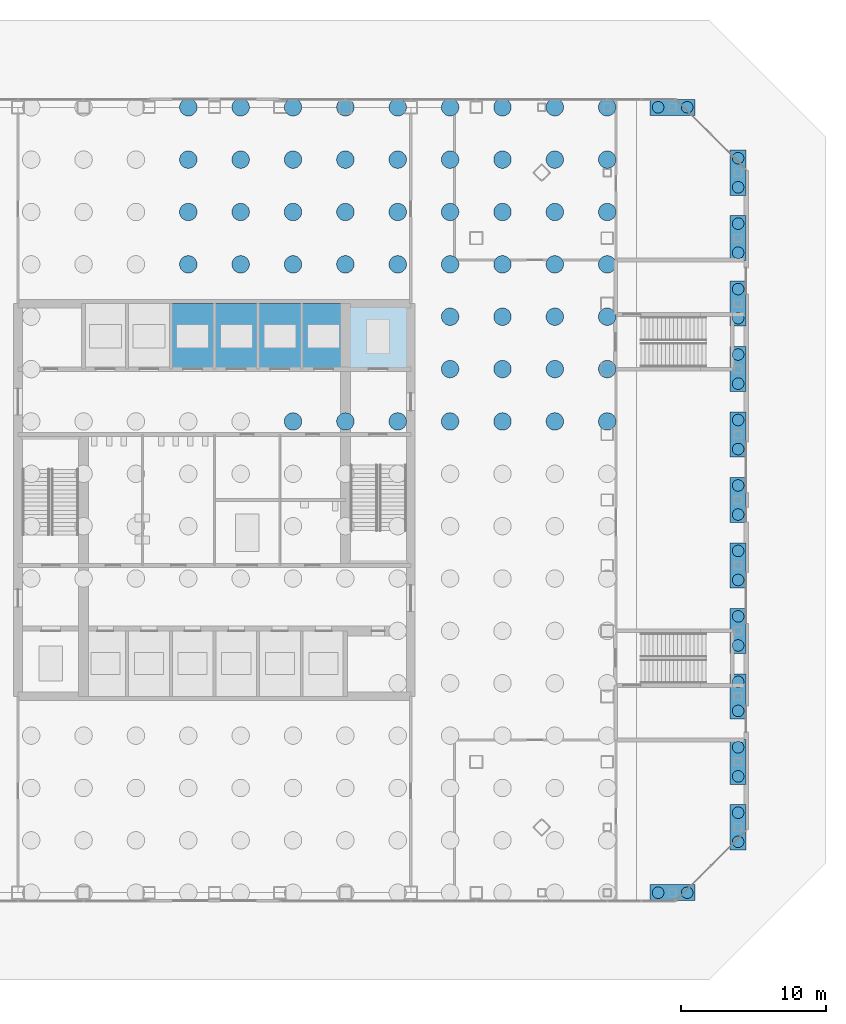
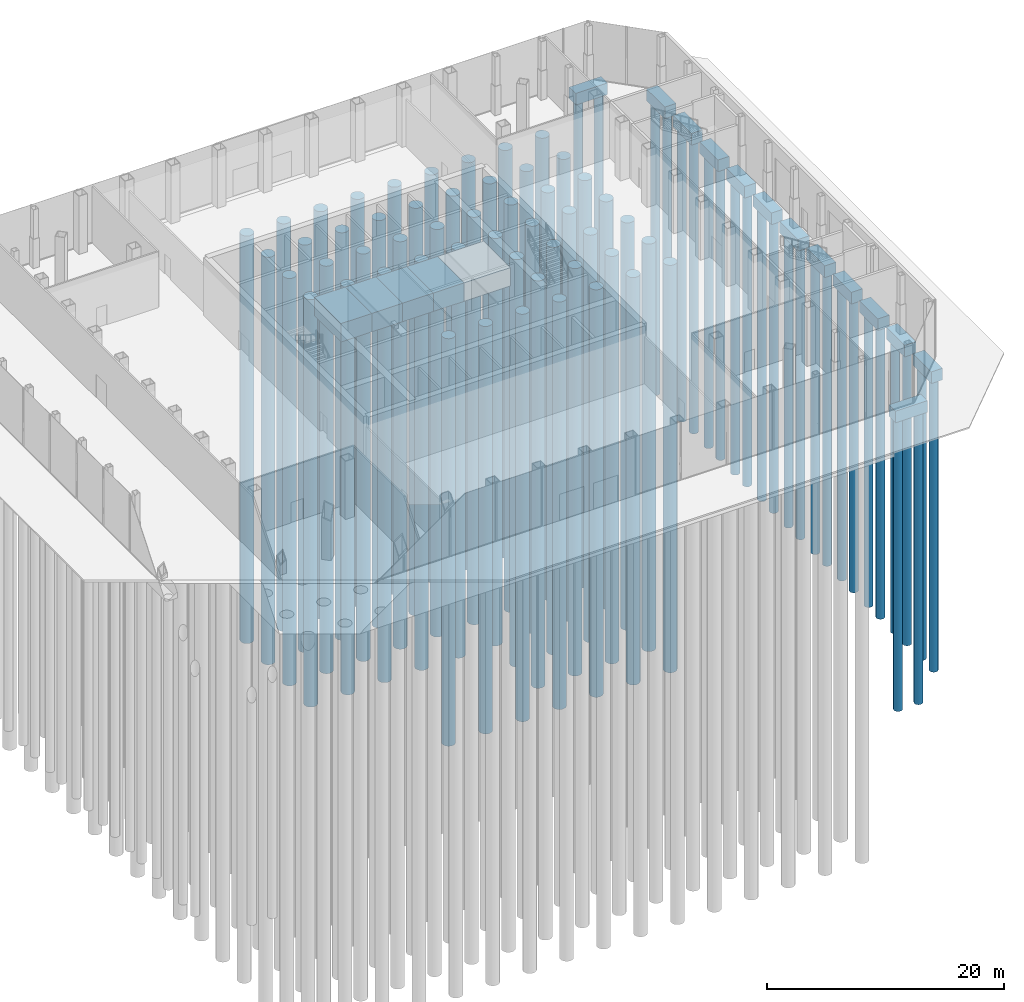
# One storey, part 2 of 24: 77 piles, 18 footings.
"""IFC4 building model written with IfcOpenShell, lengths in metres."""

from ifc_helpers import new_model, si_unit, direction, frame, origin, origin_2d, place, context, subcontext, project, spatial, polyline, circle, outline, extrude, material, type_object, element, save


model = new_model("IFC4")

# Units and contexts
model_context = context("Model", 3, precision=1e-05, world=origin(), true_north=direction((0.0, 1.0)))
body_context = subcontext(model_context, "Body", "Model", "MODEL_VIEW")
ifc_project = project(units=[si_unit("LENGTHUNIT", "METRE"), si_unit("AREAUNIT", "SQUARE_METRE"), si_unit("VOLUMEUNIT", "CUBIC_METRE"), si_unit("PLANEANGLEUNIT", "RADIAN"), si_unit("MASSUNIT", "GRAM", prefix="KILO")], contexts=[model_context])

# Site, building, storey
site_placement = place(None, origin())
site = spatial("IfcSite", under=ifc_project, at=site_placement, CompositionType="ELEMENT")
building_placement = place(site_placement, origin())
building = spatial("IfcBuilding", under=site, at=building_placement, Name="Corais Broadcast Tower", CompositionType="ELEMENT")
storey_placement = place(building_placement, origin())
storey = spatial("IfcBuildingStorey", under=building, at=storey_placement, Name="L00", CompositionType="ELEMENT", Elevation=0.0)

# Piles
ifc_material_1 = material(Name="Concrete C40/50", Category="concrete")
pile_type_1 = type_object("IfcPileType", Name="Bored pile 1200", PredefinedType="BORED", material=ifc_material_1)
for number, where, z_axis, x_axis, name in (
    (1, (25.199951171875, 43.199951171875, -3.75), (0.0, 0.0, -1.0), (1.0, 0.0, 0.0), "P1 pile 8-13"),
    (2, (25.199951171875, 46.800048828125, -3.75), (0.0, 0.0, -1.0), (1.0, 0.0, 0.0), "P1 pile 8-14"),
    (3, (25.199951171875, 50.39990234375, -3.75), (0.0, 0.0, -1.0), (1.0, 0.0, 0.0), "P1 pile 8-15"),
    (4, (25.199951171875, 54.0, -3.75), (0.0, 0.0, -1.0), (1.0, 0.0, 0.0), "P1 pile 8-16"),
    (5, (28.800048828125, 43.199951171875, -3.75), (0.0, 0.0, -1.0), (1.0, 0.0, 0.0), "P1 pile 9-13"),
    (6, (28.800048828125, 46.800048828125, -3.75), (0.0, 0.0, -1.0), (1.0, 0.0, 0.0), "P1 pile 9-14"),
    (7, (28.800048828125, 50.39990234375, -3.75), (0.0, 0.0, -1.0), (1.0, 0.0, 0.0), "P1 pile 9-15"),
    (8, (28.800048828125, 54.0, -3.75), (0.0, 0.0, -1.0), (1.0, 0.0, 0.0), "P1 pile 9-16"),
    (9, (32.39990234375, 32.39990234375, -3.75), (0.0, 0.0, -1.0), (1.0, 0.0, 0.0), "P1 pile 10-10"),
    (10, (32.39990234375, 43.199951171875, -3.75), (0.0, 0.0, -1.0), (1.0, 0.0, 0.0), "P1 pile 10-13"),
    (11, (32.39990234375, 46.800048828125, -3.75), (0.0, 0.0, -1.0), (1.0, 0.0, 0.0), "P1 pile 10-14"),
    (12, (32.39990234375, 50.39990234375, -3.75), (0.0, 0.0, -1.0), (1.0, 0.0, 0.0), "P1 pile 10-15"),
    (13, (32.39990234375, 54.0, -3.75), (0.0, 0.0, -1.0), (1.0, 0.0, 0.0), "P1 pile 10-16"),
    (14, (36.0, 32.39990234375, -3.75), (0.0, 0.0, -1.0), (1.0, 0.0, 0.0), "P1 pile 11-10"),
    (15, (36.0, 43.199951171875, -3.75), (0.0, 0.0, -1.0), (1.0, 0.0, 0.0), "P1 pile 11-13"),
    (16, (36.0, 46.800048828125, -3.75), (0.0, 0.0, -1.0), (1.0, 0.0, 0.0), "P1 pile 11-14"),
    (17, (36.0, 50.39990234375, -3.75), (0.0, 0.0, -1.0), (1.0, 0.0, 0.0), "P1 pile 11-15"),
    (18, (36.0, 54.0, -3.75), (0.0, 0.0, -1.0), (1.0, 0.0, 0.0), "P1 pile 11-16"),
    (19, (39.60009765625, 32.39990234375, -3.75), (0.0, 0.0, -1.0), (1.0, 0.0, 0.0), "P1 pile 12-10"),
    (20, (39.60009765625, 43.199951171875, -3.75), (0.0, 0.0, -1.0), (1.0, 0.0, 0.0), "P1 pile 12-13"),
    (21, (39.60009765625, 46.800048828125, -3.75), (0.0, 0.0, -1.0), (1.0, 0.0, 0.0), "P1 pile 12-14"),
    (22, (39.60009765625, 50.39990234375, -3.75), (0.0, 0.0, -1.0), (1.0, 0.0, 0.0), "P1 pile 12-15"),
    (23, (39.60009765625, 54.0, -3.75), (0.0, 0.0, -1.0), (1.0, 0.0, 0.0), "P1 pile 12-16"),
    (24, (43.199951171875, 32.39990234375, -3.75), (0.0, 0.0, -1.0), (1.0, 0.0, 0.0), "P1 pile 13-10"),
    (25, (43.199951171875, 36.0, -3.75), (0.0, 0.0, -1.0), (1.0, 0.0, 0.0), "P1 pile 13-11"),
    (26, (43.199951171875, 39.60009765625, -3.75), (0.0, 0.0, -1.0), (1.0, 0.0, 0.0), "P1 pile 13-12"),
    (27, (43.199951171875, 43.199951171875, -3.75), (0.0, 0.0, -1.0), (1.0, 0.0, 0.0), "P1 pile 13-13"),
    (28, (43.199951171875, 46.800048828125, -3.75), (0.0, 0.0, -1.0), (1.0, 0.0, 0.0), "P1 pile 13-14"),
    (29, (43.199951171875, 50.39990234375, -3.75), (0.0, 0.0, -1.0), (1.0, 0.0, 0.0), "P1 pile 13-15"),
    (30, (43.199951171875, 54.0, -3.75), (0.0, 0.0, -1.0), (1.0, 0.0, 0.0), "P1 pile 13-16"),
    (31, (46.800048828125, 32.39990234375, -3.75), (0.0, 0.0, -1.0), (1.0, 0.0, 0.0), "P1 pile 14-10"),
    (32, (46.800048828125, 36.0, -3.75), (0.0, 0.0, -1.0), (1.0, 0.0, 0.0), "P1 pile 14-11"),
    (33, (46.800048828125, 39.60009765625, -3.75), (0.0, 0.0, -1.0), (1.0, 0.0, 0.0), "P1 pile 14-12"),
    (34, (46.800048828125, 43.199951171875, -3.75), (0.0, 0.0, -1.0), (1.0, 0.0, 0.0), "P1 pile 14-13"),
    (35, (46.800048828125, 46.800048828125, -3.75), (0.0, 0.0, -1.0), (1.0, 0.0, 0.0), "P1 pile 14-14"),
    (36, (46.800048828125, 50.39990234375, -3.75), (0.0, 0.0, -1.0), (1.0, 0.0, 0.0), "P1 pile 14-15"),
    (37, (46.800048828125, 54.0, -3.75), (0.0, 0.0, -1.0), (1.0, 0.0, 0.0), "P1 pile 14-16"),
    (38, (50.39990234375, 32.39990234375, -3.75), (0.0, 0.0, -1.0), (1.0, 0.0, 0.0), "P1 pile 15-10"),
    (39, (50.39990234375, 36.0, -3.75), (0.0, 0.0, -1.0), (1.0, 0.0, 0.0), "P1 pile 15-11"),
    (40, (50.39990234375, 39.60009765625, -3.75), (0.0, 0.0, -1.0), (1.0, 0.0, 0.0), "P1 pile 15-12"),
    (41, (50.39990234375, 43.199951171875, -3.75), (0.0, 0.0, -1.0), (1.0, 0.0, 0.0), "P1 pile 15-13"),
    (42, (50.39990234375, 46.800048828125, -3.75), (0.0, 0.0, -1.0), (1.0, 0.0, 0.0), "P1 pile 15-14"),
    (43, (50.39990234375, 50.39990234375, -3.75), (0.0, 0.0, -1.0), (1.0, 0.0, 0.0), "P1 pile 15-15"),
    (44, (50.39990234375, 54.0, -3.75), (0.0, 0.0, -1.0), (1.0, 0.0, 0.0), "P1 pile 15-16"),
    (45, (54.0, 32.39990234375, -3.75), (0.0, 0.0, -1.0), (1.0, 0.0, 0.0), "P1 pile 16-10"),
    (46, (54.0, 36.0, -3.75), (0.0, 0.0, -1.0), (1.0, 0.0, 0.0), "P1 pile 16-11"),
    (47, (54.0, 39.60009765625, -3.75), (0.0, 0.0, -1.0), (1.0, 0.0, 0.0), "P1 pile 16-12"),
    (48, (54.0, 43.199951171875, -3.75), (0.0, 0.0, -1.0), (1.0, 0.0, 0.0), "P1 pile 16-13"),
    (49, (54.0, 46.800048828125, -3.75), (0.0, 0.0, -1.0), (1.0, 0.0, 0.0), "P1 pile 16-14"),
    (50, (54.0, 50.39990234375, -3.75), (0.0, 0.0, -1.0), (1.0, 0.0, 0.0), "P1 pile 16-15"),
    (51, (54.0, 54.0, -3.75), (0.0, 0.0, -1.0), (1.0, 0.0, 0.0), "P1 pile 16-16"),
):
    element("IfcPile", number, at=place(storey_placement, frame(where, z_axis=z_axis, x_axis=x_axis)), inside=storey, type_object=pile_type_1, Name=name, PredefinedType="BORED", context=body_context, shape_type="SweptSolid", body=[
        extrude(circle(Radius=0.60009765625, at=origin_2d()), origin(), (0.0, 0.0, 1.0), 42.0),
    ])
ifc_material_2 = material(Name="Concrete C40/50", Category="concrete")
pile_type_2 = type_object("IfcPileType", Name="Bored pile 800", PredefinedType="BORED", material=ifc_material_2)
for number, where, z_axis, x_axis, name in (
    (52, (63.0, 3.5, -1.449951171875), (0.0, 0.0, -1.0), (1.0, 0.0, 0.0), "P2 pile"),
    (53, (63.0, 5.5, -1.449951171875), (0.0, 0.0, -1.0), (1.0, 0.0, 0.0), "P2 pile"),
    (54, (63.0, 8.0, -1.449951171875), (0.0, 0.0, -1.0), (1.0, 0.0, 0.0), "P2 pile"),
    (55, (63.0, 10.0, -1.449951171875), (0.0, 0.0, -1.0), (1.0, 0.0, 0.0), "P2 pile"),
    (56, (63.0, 12.5, -1.449951171875), (0.0, 0.0, -1.0), (1.0, 0.0, 0.0), "P2 pile"),
    (57, (63.0, 14.5, -1.449951171875), (0.0, 0.0, -1.0), (1.0, 0.0, 0.0), "P2 pile"),
    (58, (63.0, 17.0, -1.449951171875), (0.0, 0.0, -1.0), (1.0, 0.0, 0.0), "P2 pile"),
    (59, (63.0, 19.0, -1.449951171875), (0.0, 0.0, -1.0), (1.0, 0.0, 0.0), "P2 pile"),
    (60, (63.0, 21.5, -1.449951171875), (0.0, 0.0, -1.0), (1.0, 0.0, 0.0), "P2 pile"),
    (61, (63.0, 23.5, -1.449951171875), (0.0, 0.0, -1.0), (1.0, 0.0, 0.0), "P2 pile"),
    (62, (63.0, 26.0, -1.449951171875), (0.0, 0.0, -1.0), (1.0, 0.0, 0.0), "P2 pile"),
    (63, (63.0, 28.0, -1.449951171875), (0.0, 0.0, -1.0), (1.0, 0.0, 0.0), "P2 pile"),
    (64, (63.0, 30.5, -1.449951171875), (0.0, 0.0, -1.0), (1.0, 0.0, 0.0), "P2 pile"),
    (65, (63.0, 32.5, -1.449951171875), (0.0, 0.0, -1.0), (1.0, 0.0, 0.0), "P2 pile"),
    (66, (63.0, 35.0, -1.449951171875), (0.0, 0.0, -1.0), (1.0, 0.0, 0.0), "P2 pile"),
    (67, (63.0, 37.0, -1.449951171875), (0.0, 0.0, -1.0), (1.0, 0.0, 0.0), "P2 pile"),
    (68, (63.0, 39.5, -1.449951171875), (0.0, 0.0, -1.0), (1.0, 0.0, 0.0), "P2 pile"),
    (69, (63.0, 41.5, -1.449951171875), (0.0, 0.0, -1.0), (1.0, 0.0, 0.0), "P2 pile"),
    (70, (63.0, 44.0, -1.449951171875), (0.0, 0.0, -1.0), (1.0, 0.0, 0.0), "P2 pile"),
    (71, (63.0, 46.0, -1.449951171875), (0.0, 0.0, -1.0), (1.0, 0.0, 0.0), "P2 pile"),
    (72, (63.0, 48.5, -1.449951171875), (0.0, 0.0, -1.0), (1.0, 0.0, 0.0), "P2 pile"),
    (73, (63.0, 50.5, -1.449951171875), (0.0, 0.0, -1.0), (1.0, 0.0, 0.0), "P2 pile"),
    (74, (57.5, 0.0, -1.449951171875), (0.0, 0.0, -1.0), (1.0, 0.0, 0.0), "P2 pile"),
    (75, (59.5, 0.0, -1.449951171875), (0.0, 0.0, -1.0), (1.0, 0.0, 0.0), "P2 pile"),
    (76, (57.5, 54.0, -1.449951171875), (0.0, 0.0, -1.0), (1.0, 0.0, 0.0), "P2 pile"),
    (77, (59.5, 54.0, -1.449951171875), (0.0, 0.0, -1.0), (1.0, 0.0, 0.0), "P2 pile"),
):
    element("IfcPile", number, at=place(storey_placement, frame(where, z_axis=z_axis, x_axis=x_axis)), inside=storey, type_object=pile_type_2, Name=name, PredefinedType="BORED", context=body_context, shape_type="SweptSolid", body=[
        extrude(circle(Radius=0.39990234375, at=origin_2d()), origin(), (0.0, 0.0, 1.0), 30.0),
    ])

# Footings
ifc_material_3 = material(Name="Concrete C40/50", Category="concrete")
footing_type_1 = type_object("IfcFootingType", Name="Lift pit base 3000x4500", PredefinedType="PILE_CAP", material=ifc_material_3)
footing_1_placement = place(storey_placement, frame((0.0, 0.0, -3.75)))
element("IfcFooting", 78, at=footing_1_placement, inside=storey, type_object=footing_type_1, Name="Lift pit base 9", PredefinedType="PILE_CAP", context=body_context, shape_type="SweptSolid", body=[
    extrude(outline(polyline([(24.0, 36.0), (27.0, 36.0), (27.0, 40.5), (24.0, 40.5), (24.0, 36.0)])), origin(), (0.0, 0.0, 1.0), 1.89990234375),
])
footing_2_placement = place(storey_placement, frame((0.0, 0.0, -3.75)))
element("IfcFooting", 79, at=footing_2_placement, inside=storey, type_object=footing_type_1, Name="Lift pit base 10", PredefinedType="PILE_CAP", context=body_context, shape_type="SweptSolid", body=[
    extrude(outline(polyline([(27.0, 36.0), (30.0, 36.0), (30.0, 40.5), (27.0, 40.5), (27.0, 36.0)])), origin(), (0.0, 0.0, 1.0), 1.89990234375),
])
footing_3_placement = place(storey_placement, frame((0.0, 0.0, -3.75)))
element("IfcFooting", 80, at=footing_3_placement, inside=storey, type_object=footing_type_1, Name="Lift pit base 11", PredefinedType="PILE_CAP", context=body_context, shape_type="SweptSolid", body=[
    extrude(outline(polyline([(30.0, 36.0), (33.0, 36.0), (33.0, 40.5), (30.0, 40.5), (30.0, 36.0)])), origin(), (0.0, 0.0, 1.0), 1.89990234375),
])
footing_4_placement = place(storey_placement, frame((0.0, 0.0, -3.75)))
element("IfcFooting", 81, at=footing_4_placement, inside=storey, type_object=footing_type_1, Name="Lift pit base 12", PredefinedType="PILE_CAP", context=body_context, shape_type="SweptSolid", body=[
    extrude(outline(polyline([(33.0, 36.0), (36.0, 36.0), (36.0, 40.5), (33.0, 40.5), (33.0, 36.0)])), origin(), (0.0, 0.0, 1.0), 1.89990234375),
])
ifc_material_4 = material(Name="Concrete C40/50", Category="concrete")
footing_type_2 = type_object("IfcFootingType", Name="Lift pit base 4500x4500", PredefinedType="PILE_CAP", material=ifc_material_4)
footing_5_placement = place(storey_placement, frame((0.0, 0.0, -3.75)))
element("IfcFooting", 82, at=footing_5_placement, inside=storey, type_object=footing_type_2, Name="Lift pit base 14", PredefinedType="PILE_CAP", context=body_context, shape_type="SweptSolid", body=[
    extrude(outline(polyline([(36.0, 36.0), (40.5, 36.0), (40.5, 40.5), (36.0, 40.5), (36.0, 36.0)])), origin(), (0.0, 0.0, 1.0), 1.89990234375),
])
ifc_material_5 = material(Name="Concrete C40/50", Category="concrete")
footing_type_3 = type_object("IfcFootingType", Name="Two-pile cap 3100x1100", PredefinedType="PILE_CAP", material=ifc_material_5)
footing_6_placement = place(storey_placement, frame((0.0, 0.0, -1.449951171875)))
element("IfcFooting", 83, at=footing_6_placement, inside=storey, type_object=footing_type_3, Name="PC1 pile cap B/17", PredefinedType="PILE_CAP", context=body_context, shape_type="SweptSolid", body=[
    extrude(outline(polyline([(62.449951171875, 2.949951171875), (63.550048828125, 2.949951171875), (63.550048828125, 6.050048828125), (62.449951171875, 6.050048828125), (62.449951171875, 2.949951171875)])), origin(), (0.0, 0.0, 1.0), 1.199951171875),
])
footing_7_placement = place(storey_placement, frame((0.0, 0.0, -1.449951171875)))
element("IfcFooting", 84, at=footing_7_placement, inside=storey, type_object=footing_type_3, Name="PC1 pile cap C/17", PredefinedType="PILE_CAP", context=body_context, shape_type="SweptSolid", body=[
    extrude(outline(polyline([(62.449951171875, 7.449951171875), (63.550048828125, 7.449951171875), (63.550048828125, 10.550048828125), (62.449951171875, 10.550048828125), (62.449951171875, 7.449951171875)])), origin(), (0.0, 0.0, 1.0), 1.199951171875),
])
footing_8_placement = place(storey_placement, frame((0.0, 0.0, -1.449951171875)))
element("IfcFooting", 85, at=footing_8_placement, inside=storey, type_object=footing_type_3, Name="PC1 pile cap D/17", PredefinedType="PILE_CAP", context=body_context, shape_type="SweptSolid", body=[
    extrude(outline(polyline([(62.449951171875, 11.949951171875), (63.550048828125, 11.949951171875), (63.550048828125, 15.050048828125), (62.449951171875, 15.050048828125), (62.449951171875, 11.949951171875)])), origin(), (0.0, 0.0, 1.0), 1.199951171875),
])
footing_9_placement = place(storey_placement, frame((0.0, 0.0, -1.449951171875)))
element("IfcFooting", 86, at=footing_9_placement, inside=storey, type_object=footing_type_3, Name="PC1 pile cap E/17", PredefinedType="PILE_CAP", context=body_context, shape_type="SweptSolid", body=[
    extrude(outline(polyline([(62.449951171875, 16.449951171875), (63.550048828125, 16.449951171875), (63.550048828125, 19.550048828125), (62.449951171875, 19.550048828125), (62.449951171875, 16.449951171875)])), origin(), (0.0, 0.0, 1.0), 1.199951171875),
])
footing_10_placement = place(storey_placement, frame((0.0, 0.0, -1.449951171875)))
element("IfcFooting", 87, at=footing_10_placement, inside=storey, type_object=footing_type_3, Name="PC1 pile cap F/17", PredefinedType="PILE_CAP", context=body_context, shape_type="SweptSolid", body=[
    extrude(outline(polyline([(62.449951171875, 20.949951171875), (63.550048828125, 20.949951171875), (63.550048828125, 24.050048828125), (62.449951171875, 24.050048828125), (62.449951171875, 20.949951171875)])), origin(), (0.0, 0.0, 1.0), 1.199951171875),
])
footing_11_placement = place(storey_placement, frame((0.0, 0.0, -1.449951171875)))
element("IfcFooting", 88, at=footing_11_placement, inside=storey, type_object=footing_type_3, Name="PC1 pile cap G/17", PredefinedType="PILE_CAP", context=body_context, shape_type="SweptSolid", body=[
    extrude(outline(polyline([(62.449951171875, 25.449951171875), (63.550048828125, 25.449951171875), (63.550048828125, 28.550048828125), (62.449951171875, 28.550048828125), (62.449951171875, 25.449951171875)])), origin(), (0.0, 0.0, 1.0), 1.199951171875),
])
footing_12_placement = place(storey_placement, frame((0.0, 0.0, -1.449951171875)))
element("IfcFooting", 89, at=footing_12_placement, inside=storey, type_object=footing_type_3, Name="PC1 pile cap H/17", PredefinedType="PILE_CAP", context=body_context, shape_type="SweptSolid", body=[
    extrude(outline(polyline([(62.449951171875, 29.949951171875), (63.550048828125, 29.949951171875), (63.550048828125, 33.050048828125), (62.449951171875, 33.050048828125), (62.449951171875, 29.949951171875)])), origin(), (0.0, 0.0, 1.0), 1.199951171875),
])
footing_13_placement = place(storey_placement, frame((0.0, 0.0, -1.449951171875)))
element("IfcFooting", 90, at=footing_13_placement, inside=storey, type_object=footing_type_3, Name="PC1 pile cap J/17", PredefinedType="PILE_CAP", context=body_context, shape_type="SweptSolid", body=[
    extrude(outline(polyline([(62.449951171875, 34.449951171875), (63.550048828125, 34.449951171875), (63.550048828125, 37.550048828125), (62.449951171875, 37.550048828125), (62.449951171875, 34.449951171875)])), origin(), (0.0, 0.0, 1.0), 1.199951171875),
])
footing_14_placement = place(storey_placement, frame((0.0, 0.0, -1.449951171875)))
element("IfcFooting", 91, at=footing_14_placement, inside=storey, type_object=footing_type_3, Name="PC1 pile cap K/17", PredefinedType="PILE_CAP", context=body_context, shape_type="SweptSolid", body=[
    extrude(outline(polyline([(62.449951171875, 38.949951171875), (63.550048828125, 38.949951171875), (63.550048828125, 42.050048828125), (62.449951171875, 42.050048828125), (62.449951171875, 38.949951171875)])), origin(), (0.0, 0.0, 1.0), 1.199951171875),
])
footing_15_placement = place(storey_placement, frame((0.0, 0.0, -1.449951171875)))
element("IfcFooting", 92, at=footing_15_placement, inside=storey, type_object=footing_type_3, Name="PC1 pile cap L/17", PredefinedType="PILE_CAP", context=body_context, shape_type="SweptSolid", body=[
    extrude(outline(polyline([(62.449951171875, 43.449951171875), (63.550048828125, 43.449951171875), (63.550048828125, 46.550048828125), (62.449951171875, 46.550048828125), (62.449951171875, 43.449951171875)])), origin(), (0.0, 0.0, 1.0), 1.199951171875),
])
footing_16_placement = place(storey_placement, frame((0.0, 0.0, -1.449951171875)))
element("IfcFooting", 93, at=footing_16_placement, inside=storey, type_object=footing_type_3, Name="PC1 pile cap M/17", PredefinedType="PILE_CAP", context=body_context, shape_type="SweptSolid", body=[
    extrude(outline(polyline([(62.449951171875, 47.949951171875), (63.550048828125, 47.949951171875), (63.550048828125, 51.050048828125), (62.449951171875, 51.050048828125), (62.449951171875, 47.949951171875)])), origin(), (0.0, 0.0, 1.0), 1.199951171875),
])
footing_17_placement = place(storey_placement, frame((0.0, 0.0, -1.449951171875)))
element("IfcFooting", 94, at=footing_17_placement, inside=storey, type_object=footing_type_3, Name="PC1 pile cap A/16", PredefinedType="PILE_CAP", context=body_context, shape_type="SweptSolid", body=[
    extrude(outline(polyline([(56.949951171875, -0.550048828125), (60.050048828125, -0.550048828125), (60.050048828125, 0.550048828125), (56.949951171875, 0.550048828125), (56.949951171875, -0.550048828125)])), origin(), (0.0, 0.0, 1.0), 1.199951171875),
])
footing_18_placement = place(storey_placement, frame((0.0, 0.0, -1.449951171875)))
element("IfcFooting", 95, at=footing_18_placement, inside=storey, type_object=footing_type_3, Name="PC1 pile cap N/16", PredefinedType="PILE_CAP", context=body_context, shape_type="SweptSolid", body=[
    extrude(outline(polyline([(56.949951171875, 53.449951171875), (60.050048828125, 53.449951171875), (60.050048828125, 54.550048828125), (56.949951171875, 54.550048828125), (56.949951171875, 53.449951171875)])), origin(), (0.0, 0.0, 1.0), 1.199951171875),
])

save(model, "model.ifc")
